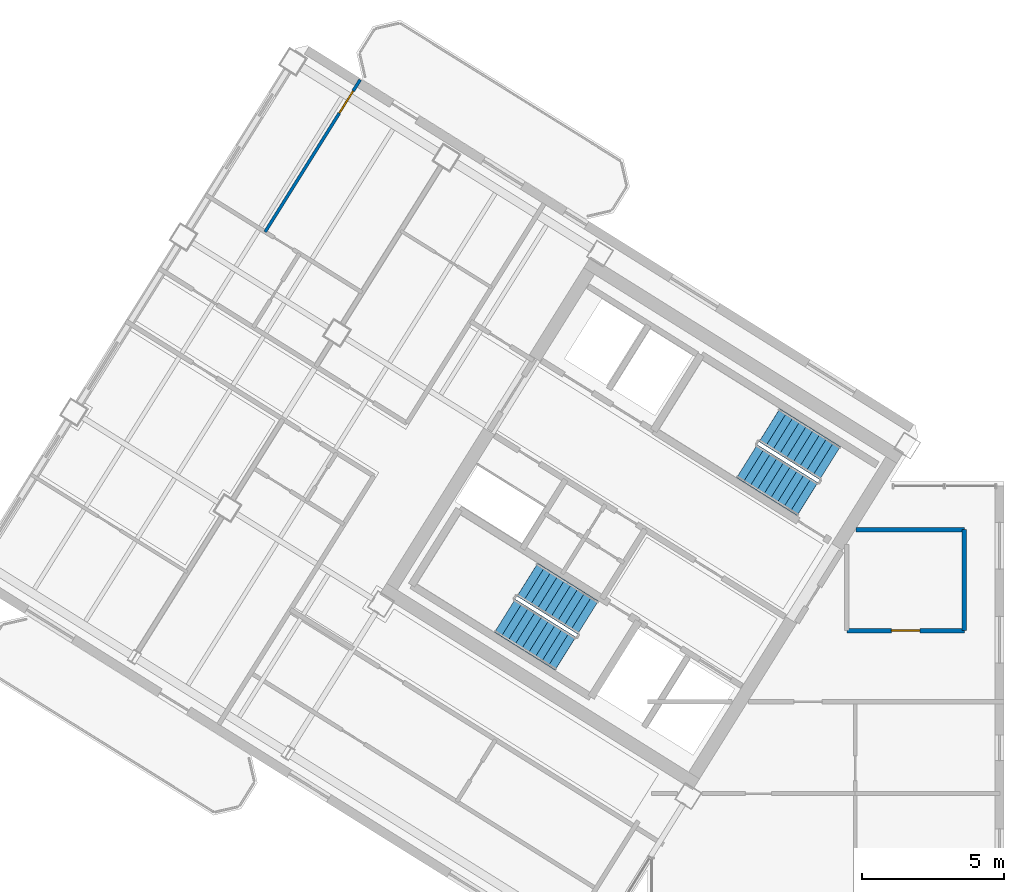
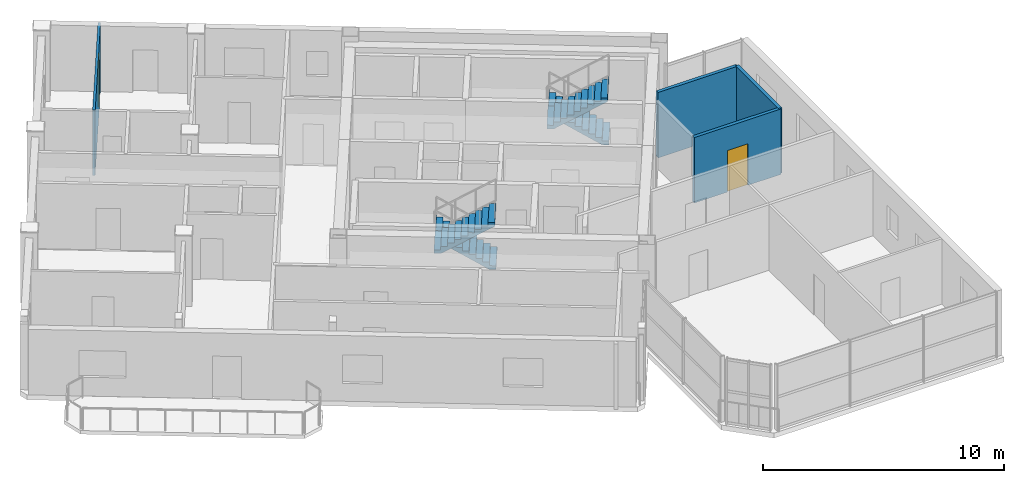
# One storey, part 10 of 13: 4 stair flights, 4 walls, 2 doors, 2 openings, 2 elements without a shape of their own.
"""IFC4 building model written with IfcOpenShell, lengths in metres."""

from ifc_helpers import new_model, si_unit, direction, frame, frame_2d, origin, place, context, subcontext, project, spatial, polyline, rectangle, outline, extrude, source, transform, mapped, material, layer, layer_set, type_object, element, fill, aggregate, save


model = new_model("IFC4")

# Units and contexts
model_context = context("Model", 3, precision=1e-05, world=origin(), true_north=direction((0.0, 1.0)))
body_context = subcontext(model_context, "Body", "Model", "MODEL_VIEW")
ifc_project = project(units=[si_unit("LENGTHUNIT", "METRE"), si_unit("AREAUNIT", "SQUARE_METRE"), si_unit("VOLUMEUNIT", "CUBIC_METRE"), si_unit("PLANEANGLEUNIT", "RADIAN"), si_unit("MASSUNIT", "GRAM", prefix="KILO")], contexts=[model_context])

# Site, building, storey
site_placement = place(None, origin())
site = spatial("IfcSite", under=ifc_project, at=site_placement, CompositionType="ELEMENT")
building_placement = place(site_placement, origin())
building = spatial("IfcBuilding", under=site, at=building_placement, Name="Tlacorven Tower", CompositionType="ELEMENT")
storey_placement = place(building_placement, frame((0.0, 0.0, 295.199951171875)))
storey = spatial("IfcBuildingStorey", under=building, at=storey_placement, Name="L75", CompositionType="ELEMENT", Elevation=295.199951171875)

# Wall, opening, door
ifc_material_1 = material(Name="Gypsum plasterboard acoustic partition", Category="gypsum")
ifc_layer_1 = layer(ifc_material_1, 0.159912109375)
ifc_layer_set_1 = layer_set([ifc_layer_1], Name="Gypsum plasterboard acoustic partition")
wall_type_1 = type_object("IfcWallType", Name="WL-DEM-160", PredefinedType="PARTITIONING", material=ifc_layer_set_1)
wall_1_placement = place(storey_placement, frame((38.64990234375, 17.929931640625, 0.0), z_axis=(0.0, 0.0, 1.0), x_axis=(1.0, 0.0, 0.0)))
wall_1 = element("IfcWall", 1, at=wall_1_placement, inside=storey, type_object=wall_type_1, Name="L75 partition 44", PredefinedType="PARTITIONING", context=body_context, shape_type="SweptSolid", body=[
    extrude(rectangle(XDim=4.150146484375, YDim=0.159912109375, at=frame_2d((2.0751953125, 0.0))), origin(), (0.0, 0.0, 1.0), 3.31005859375),
])
opening_1_placement = place(wall_1_placement, frame((1.574951171875, 0.0, 0.0)))
opening_1 = element("IfcOpeningElement", 2, at=opening_1_placement, cuts=wall_1, Name="Opening D11", PredefinedType="OPENING", context=body_context, shape_type="SweptSolid", body=[
    extrude(rectangle(XDim=1.0, YDim=2.10009765625, at=frame_2d((0.5, 1.050048828125))), frame((0.0, 0.08984375, 0.0), z_axis=(0.0, -1.0, 0.0), x_axis=(1.0, 0.0, 0.0)), (0.0, 0.0, 1.0), 0.179931640625),
])
ifc_material_2 = material(Name="Fire-rated steel door assembly", Category="steel")
door_type_1 = type_object("IfcDoorType", Name="DR-FLT-FD60-1000", OperationType="NOTDEFINED", PredefinedType="DOOR", material=ifc_material_2)
shared_shape_1 = source(origin(), body_context, "Body", "SweptSolid", [
    extrude(rectangle(XDim=1.0, YDim=2.10009765625, at=frame_2d((0.5, 1.050048828125))), frame((0.0, 0.02490234375, 0.0), z_axis=(0.0, -1.0, 0.0), x_axis=(1.0, 0.0, 0.0)), (0.0, 0.0, 1.0), 0.050048828125),
])
door_1_placement = place(opening_1_placement, origin())
door_1 = element("IfcDoor", 3, at=door_1_placement, inside=storey, type_object=door_type_1, Name="L75 door 029", OperationType="SINGLE_SWING_RIGHT", OverallHeight=2.10009765625, OverallWidth=1.0, PredefinedType="DOOR", context=body_context, shape_type="MappedRepresentation", body=[
    mapped(shared_shape_1, transform((0.0, 0.0, 0.0), scale=1.0)),
])
fill(opening_1, door_1)

# Walls
wall_2_placement = place(storey_placement, frame((42.800048828125, 17.929931640625, 0.0), z_axis=(0.0, 0.0, 1.0), x_axis=(0.0, 1.0, 0.0)))
element("IfcWall", 4, at=wall_2_placement, inside=storey, type_object=wall_type_1, Name="L75 partition 46", PredefinedType="PARTITIONING", context=body_context, shape_type="SweptSolid", body=[
    extrude(rectangle(XDim=3.570068359375, YDim=0.159912109375, at=frame_2d((1.78515625, 0.0))), origin(), (0.0, 0.0, 1.0), 3.31005859375),
])
wall_3_placement = place(storey_placement, frame((38.9775390625, 21.5, 0.0), z_axis=(0.0, 0.0, 1.0), x_axis=(1.0, 0.0, 0.0)))
element("IfcWall", 5, at=wall_3_placement, inside=storey, type_object=wall_type_1, Name="L75 partition 47", PredefinedType="PARTITIONING", context=body_context, shape_type="SweptSolid", body=[
    extrude(rectangle(XDim=3.822509765625, YDim=0.159912109375, at=frame_2d((1.9111328125, 0.0))), origin(), (0.0, 0.0, 1.0), 3.31005859375),
])

# Wall, opening, door
ifc_material_3 = material(Name="Gypsum plasterboard partition", Category="gypsum")
ifc_layer_2 = layer(ifc_material_3, 0.110107421875)
ifc_layer_set_2 = layer_set([ifc_layer_2], Name="Gypsum plasterboard partition")
wall_type_2 = type_object("IfcWallType", Name="WL-INT-110", PredefinedType="PARTITIONING", material=ifc_layer_set_2)
wall_4_placement = place(storey_placement, frame((21.4541015625, 37.395263671875, 0.0), z_axis=(0.0, 0.0, 1.0), x_axis=(-0.529922785174, -0.848045896018, 0.0)))
wall_4 = element("IfcWall", 6, at=wall_4_placement, inside=storey, type_object=wall_type_2, Name="L75 partition 37", PredefinedType="PARTITIONING", context=body_context, shape_type="SweptSolid", body=[
    extrude(rectangle(XDim=6.33984375, YDim=0.110107421875, at=frame_2d((3.169921875, 0.0))), origin(), (0.0, 0.0, 1.0), 3.31005859375),
])
opening_2_placement = place(wall_4_placement, frame((0.469970703125, 0.0, 0.0)))
opening_2 = element("IfcOpeningElement", 7, at=opening_2_placement, cuts=wall_4, Name="Opening D12", PredefinedType="OPENING", context=body_context, shape_type="SweptSolid", body=[
    extrude(rectangle(XDim=0.919921875, YDim=2.080078125, at=frame_2d((0.4599609375, 1.0400390625))), frame((0.0, 0.06494140625, 0.0), z_axis=(0.0, -1.0, 0.0), x_axis=(1.0, 0.0, 0.0)), (0.0, 0.0, 1.0), 0.130126953125),
])
ifc_material_4 = material(Name="Powder-coated aluminium and timber door", Category="wood")
door_type_2 = type_object("IfcDoorType", Name="DR-INT-ROOM-0920", OperationType="NOTDEFINED", PredefinedType="DOOR", material=ifc_material_4)
shared_shape_2 = source(origin(), body_context, "Body", "SweptSolid", [
    extrude(rectangle(XDim=0.919921875, YDim=2.080078125, at=frame_2d((0.4599609375, 1.0400390625))), frame((0.0, 0.02490234375, 0.0), z_axis=(0.0, -1.0, 0.0), x_axis=(1.0, 0.0, 0.0)), (0.0, 0.0, 1.0), 0.050048828125),
])
door_2_placement = place(opening_2_placement, origin())
door_2 = element("IfcDoor", 8, at=door_2_placement, inside=storey, type_object=door_type_2, Name="L75 door 022", OperationType="SINGLE_SWING_LEFT", OverallHeight=2.080078125, OverallWidth=0.919921875, PredefinedType="DOOR", context=body_context, shape_type="MappedRepresentation", body=[
    mapped(shared_shape_2, transform((0.0, 0.0, 0.0), scale=1.0)),
])
fill(opening_2, door_2)

# Stair, stair flights
ifc_material_5 = material(Name="Concrete C40/50", Category="concrete")
stair_type = type_object("IfcStairType", Name="ST-CORE-DLG", PredefinedType="HALF_TURN_STAIR", material=ifc_material_5)
stair_1_placement = place(storey_placement, origin())
stair_1 = element("IfcStair", 9, at=stair_1_placement, inside=storey, type_object=stair_type, Name="L75 Protected Exit Stair West 1", PredefinedType="HALF_TURN_STAIR")
stair_flight_type = type_object("IfcStairFlightType", Name="SFL-RC-1380", PredefinedType="STRAIGHT", material=ifc_material_5)
shared_shape_3 = source(origin(), body_context, "Body", "SweptSolid", [
    extrude(outline(polyline([(-0.0029296875, -0.0029296875), (-0.0029296875, 0.179931640625), (0.280029296875, 0.179931640625), (0.280029296875, 0.360107421875), (0.56005859375, 0.360107421875), (0.56005859375, 0.5400390625), (0.840087890625, 0.5400390625), (0.840087890625, 0.719970703125), (1.1201171875, 0.719970703125), (1.1201171875, 0.89990234375), (1.39990234375, 0.89990234375), (1.39990234375, 1.080078125), (1.679931640625, 1.080078125), (1.679931640625, 1.260009765625), (1.9599609375, 1.260009765625), (1.9599609375, 1.43994140625), (2.239990234375, 1.43994140625), (2.239990234375, 1.6201171875), (2.52001953125, 1.6201171875), (2.52001953125, 1.800048828125), (2.52294921875, 1.800048828125), (2.52294921875, 1.429931640625), (2.52001953125, 1.429931640625), (0.295654296875, 0.0), (0.295654296875, -0.0029296875), (-0.0029296875, -0.0029296875)])), frame((0.0, 0.68994140625, 0.0), z_axis=(0.0, -1.0, 0.0), x_axis=(1.0, 0.0, 0.0)), (0.0, 0.0, 1.0), 1.3798828125),
])
stair_flight_1_placement = place(storey_placement, frame((29.499755859375, 18.39453125, 0.0), z_axis=(0.0, 0.0, 1.0), x_axis=(-0.848048096156, 0.529919264233, 0.0)))
stair_flight_1 = element("IfcStairFlight", 10, at=stair_flight_1_placement, type_object=stair_flight_type, Name="ST-W1 flight 1", NumberOfRisers=10, NumberOfTreads=9, PredefinedType="STRAIGHT", RiserHeight=0.18, TreadLength=0.28, context=body_context, shape_type="MappedRepresentation", body=[
    mapped(shared_shape_3, transform((0.0, 0.0, 0.0), scale=1.0)),
])
stair_flight_2_placement = place(storey_placement, frame((26.56787109375, 18.4580078125, 1.800048828125), z_axis=(0.0, 0.0, 1.0), x_axis=(0.848048096156, -0.529919264233, 0.0)))
stair_flight_2 = element("IfcStairFlight", 11, at=stair_flight_2_placement, type_object=stair_flight_type, Name="ST-W1 flight 2", NumberOfRisers=10, NumberOfTreads=9, PredefinedType="STRAIGHT", RiserHeight=0.18, TreadLength=0.28, context=body_context, shape_type="MappedRepresentation", body=[
    mapped(shared_shape_3, transform((0.0, 0.0, 0.0), scale=1.0)),
])
aggregate(stair_1, [stair_flight_1, stair_flight_2])

stair_2_placement = place(storey_placement, origin())
stair_2 = element("IfcStair", 12, at=stair_2_placement, inside=storey, type_object=stair_type, Name="L75 Protected Exit Stair West 2", PredefinedType="HALF_TURN_STAIR")
stair_flight_3_placement = place(storey_placement, frame((38.051513671875, 23.852294921875, 0.0), z_axis=(0.0, 0.0, 1.0), x_axis=(-0.848048096156, 0.529919264233, 0.0)))
stair_flight_3 = element("IfcStairFlight", 13, at=stair_flight_3_placement, type_object=stair_flight_type, Name="ST-W2 flight 1", NumberOfRisers=10, NumberOfTreads=9, PredefinedType="STRAIGHT", RiserHeight=0.18, TreadLength=0.28, context=body_context, shape_type="MappedRepresentation", body=[
    mapped(shared_shape_3, transform((0.0, 0.0, 0.0), scale=1.0)),
])
stair_flight_4_placement = place(storey_placement, frame((35.119384765625, 23.91552734375, 1.800048828125), z_axis=(0.0, 0.0, 1.0), x_axis=(0.848048096156, -0.529919264233, 0.0)))
stair_flight_4 = element("IfcStairFlight", 14, at=stair_flight_4_placement, type_object=stair_flight_type, Name="ST-W2 flight 2", NumberOfRisers=10, NumberOfTreads=9, PredefinedType="STRAIGHT", RiserHeight=0.18, TreadLength=0.28, context=body_context, shape_type="MappedRepresentation", body=[
    mapped(shared_shape_3, transform((0.0, 0.0, 0.0), scale=1.0)),
])
aggregate(stair_2, [stair_flight_3, stair_flight_4])

save(model, "model.ifc")
